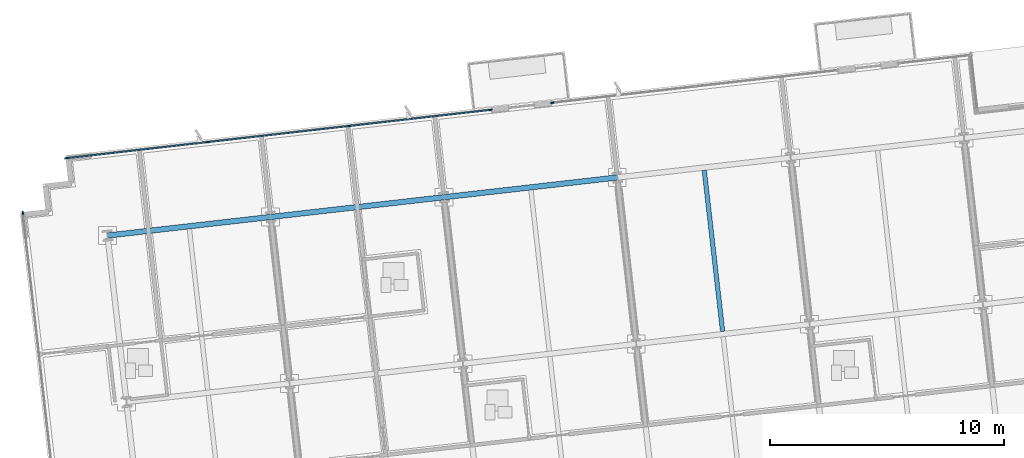
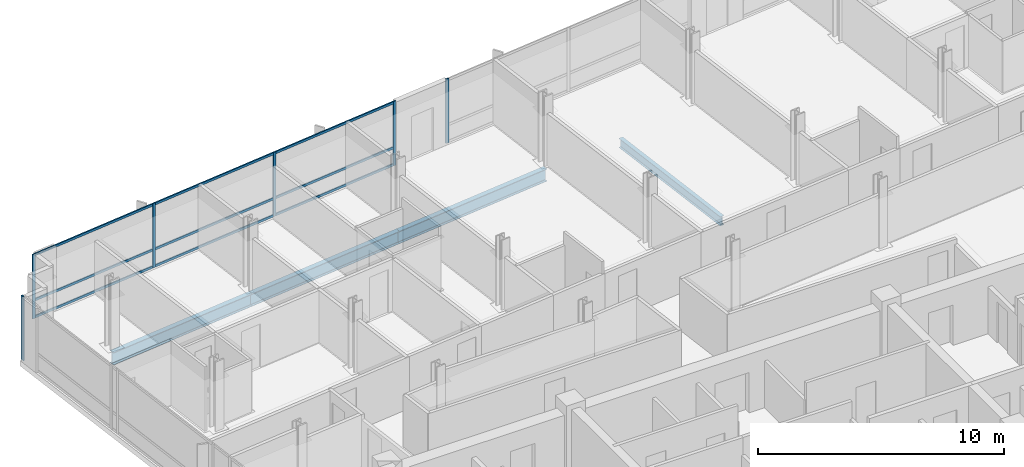
# One storey, part 6 of 16: 15 members, 4 beams, 3 elements without a shape of their own.
"""IFC4 building model written with IfcOpenShell, lengths in metres."""

from ifc_helpers import new_model, si_unit, direction, frame, origin, origin_2d, place, context, subcontext, project, spatial, rectangle, i_section, extrude, material, material_profile, profile_set, type_object, element, aggregate, save


model = new_model("IFC4")

# Units and contexts
model_context = context("Model", 3, precision=1e-05, world=origin(), true_north=direction((0.0, 1.0)))
body_context = subcontext(model_context, "Body", "Model", "MODEL_VIEW")
ifc_project = project(units=[si_unit("LENGTHUNIT", "METRE"), si_unit("AREAUNIT", "SQUARE_METRE"), si_unit("VOLUMEUNIT", "CUBIC_METRE"), si_unit("PLANEANGLEUNIT", "RADIAN"), si_unit("MASSUNIT", "GRAM", prefix="KILO")], contexts=[model_context])

# Site, building, storey
site_placement = place(None, origin())
site = spatial("IfcSite", under=ifc_project, at=site_placement, CompositionType="ELEMENT")
building_placement = place(site_placement, origin())
building = spatial("IfcBuilding", under=site, at=building_placement, Name="Solmavex Isthmus Hotel", CompositionType="ELEMENT")
storey_placement = place(building_placement, frame((0.0, 0.0, 219.300048828125)))
storey = spatial("IfcBuildingStorey", under=building, at=storey_placement, Name="L59", CompositionType="ELEMENT", Elevation=219.300048828125)

# Beams
ifc_material_1 = material(Name="Steel ASTM A992 Grade 50", Category="steel")
ifc_material_profile_1 = material_profile(ifc_material_1, i_section(OverallWidth=0.1904296875, OverallDepth=0.456787109375, WebThickness=0.009033203125, FlangeThickness=0.014404296875, FilletRadius=0.0126953125, at=origin_2d()), Name="W18X50")
ifc_profile_set_1 = profile_set([ifc_material_profile_1], Name="Steel ASTM A992 Grade 50")
beam_type_1 = type_object("IfcBeamType", Name="BM-BJ-W18X50", PredefinedType="JOIST", material=ifc_profile_set_1)
beam_1_placement = place(storey_placement, frame((7.009033203125, 10.1328125, -0.488525390625), z_axis=(-0.113202453846, 0.993571942258, 0.0), x_axis=(-0.993571942258, -0.113202453846, 0.0)))
element("IfcBeam", 1, at=beam_1_placement, inside=storey, type_object=beam_type_1, Name="Secondary Floor Joist L59-J14", PredefinedType="JOIST", context=body_context, shape_type="SweptSolid", body=[
    extrude(i_section(OverallWidth=0.1904296875, OverallDepth=0.456787109375, WebThickness=0.009033203125, FlangeThickness=0.014404296875, FilletRadius=0.0126953125, at=origin_2d()), origin(), (0.0, 0.0, 1.0), 6.9228515625),
])
ifc_material_profile_2 = material_profile(ifc_material_1, i_section(OverallWidth=0.230224609375, OverallDepth=0.617431640625, WebThickness=0.01318359375, FlangeThickness=0.022216796875, FilletRadius=0.01513671875, at=origin_2d()), Name="W24X94")
ifc_profile_set_2 = profile_set([ifc_material_profile_2], Name="Steel ASTM A992 Grade 50")
beam_type_2 = type_object("IfcBeamType", Name="BM-SP-W24X94", PredefinedType="SPANDREL", material=ifc_profile_set_2)
beam_2_placement = place(storey_placement, frame((-19.245849609375, 14.22509765625, -0.56884765625), z_axis=(0.99357359356, 0.113187959519, 0.0), x_axis=(-0.113187959519, 0.99357359356, 0.0)))
element("IfcBeam", 2, at=beam_2_placement, inside=storey, type_object=beam_type_2, Name="Floor Girder L59-UG18", PredefinedType="SPANDREL", context=body_context, shape_type="SweptSolid", body=[
    extrude(i_section(OverallWidth=0.230224609375, OverallDepth=0.617431640625, WebThickness=0.01318359375, FlangeThickness=0.022216796875, FilletRadius=0.01513671875, at=origin_2d()), origin(), (0.0, 0.0, 1.0), 7.0078125),
])
beam_3_placement = place(storey_placement, frame((-12.282958984375, 15.018310546875, -0.56884765625), z_axis=(0.9935703463, 0.113216460607, 0.0), x_axis=(-0.113216460607, 0.9935703463, 0.0)))
element("IfcBeam", 3, at=beam_3_placement, inside=storey, type_object=beam_type_2, Name="Floor Girder L59-UG19", PredefinedType="SPANDREL", context=body_context, shape_type="SweptSolid", body=[
    extrude(i_section(OverallWidth=0.230224609375, OverallDepth=0.617431640625, WebThickness=0.01318359375, FlangeThickness=0.022216796875, FilletRadius=0.01513671875, at=origin_2d()), origin(), (0.0, 0.0, 1.0), 7.446044921875),
])
beam_4_placement = place(storey_placement, frame((-4.884765625, 15.861328125, -0.56884765625), z_axis=(0.993573613989, 0.113187780196, 0.0), x_axis=(-0.113187780196, 0.993573613989, 0.0)))
element("IfcBeam", 4, at=beam_4_placement, inside=storey, type_object=beam_type_2, Name="Floor Girder L59-UG20", PredefinedType="SPANDREL", context=body_context, shape_type="SweptSolid", body=[
    extrude(i_section(OverallWidth=0.230224609375, OverallDepth=0.617431640625, WebThickness=0.01318359375, FlangeThickness=0.022216796875, FilletRadius=0.01513671875, at=origin_2d()), origin(), (0.0, 0.0, 1.0), 7.44580078125),
])

# Curtain wall, members
ifc_material_2 = material(Name="Aluminium alloy 6063-T6", Category="aluminium")
curtain_wall_type = type_object("IfcCurtainWallType", Name="CW-SYS-06", PredefinedType="NOTDEFINED", material=ifc_material_2)
curtain_wall_1_placement = place(storey_placement, origin())
curtain_wall_1 = element("IfcCurtainWall", 5, at=curtain_wall_1_placement, inside=storey, type_object=curtain_wall_type, Name="Stick Curtain Wall CWL-L59-N1", PredefinedType="NOTDEFINED")
ifc_material_profile_3 = material_profile(ifc_material_2, rectangle(XDim=0.06005859375, YDim=0.139892578125, at=origin_2d()), Name="CWM-60X140")
ifc_profile_set_3 = profile_set([ifc_material_profile_3], Name="Aluminium alloy 6063-T6")
member_type_1 = type_object("IfcMemberType", Name="CW-SYS-06-MUL", PredefinedType="MULLION", material=ifc_profile_set_3)
member_1_placement = place(storey_placement, frame((-21.0009765625, 17.527587890625, 0.0), z_axis=(0.0, 0.0, 1.0), x_axis=(-0.113202953513, 0.993571885329, 0.0)))
member_1 = element("IfcMember", 6, at=member_1_placement, type_object=member_type_1, Name="CW-06 mullion 1", PredefinedType="MULLION", context=body_context, shape_type="SweptSolid", body=[
    extrude(rectangle(XDim=0.06005859375, YDim=0.139892578125, at=origin_2d()), origin(), (0.0, 0.0, 1.0), 3.18994140625),
])
member_2_placement = place(storey_placement, frame((-14.977783203125, 18.2138671875, 0.0), z_axis=(0.0, 0.0, 1.0), x_axis=(-0.113202953513, 0.993571885329, 0.0)))
member_2 = element("IfcMember", 7, at=member_2_placement, type_object=member_type_1, Name="CW-06 mullion 2", PredefinedType="MULLION", context=body_context, shape_type="SweptSolid", body=[
    extrude(rectangle(XDim=0.06005859375, YDim=0.139892578125, at=origin_2d()), origin(), (0.0, 0.0, 1.0), 3.18994140625),
])
member_3_placement = place(storey_placement, frame((-8.924560546875, 18.903564453125, 0.0), z_axis=(0.0, 0.0, 1.0), x_axis=(-0.113202953513, 0.993571885329, 0.0)))
member_3 = element("IfcMember", 8, at=member_3_placement, type_object=member_type_1, Name="CW-06 mullion 3", PredefinedType="MULLION", context=body_context, shape_type="SweptSolid", body=[
    extrude(rectangle(XDim=0.06005859375, YDim=0.139892578125, at=origin_2d()), origin(), (0.0, 0.0, 1.0), 3.18994140625),
])
member_4_placement = place(storey_placement, frame((-2.901123046875, 19.58984375, 0.0), z_axis=(0.0, 0.0, 1.0), x_axis=(-0.113202953513, 0.993571885329, 0.0)))
member_4 = element("IfcMember", 9, at=member_4_placement, type_object=member_type_1, Name="CW-06 mullion 4", PredefinedType="MULLION", context=body_context, shape_type="SweptSolid", body=[
    extrude(rectangle(XDim=0.06005859375, YDim=0.139892578125, at=origin_2d()), origin(), (0.0, 0.0, 1.0), 3.18994140625),
])

# Curtain wall, member
curtain_wall_2_placement = place(storey_placement, origin())
curtain_wall_2 = element("IfcCurtainWall", 10, at=curtain_wall_2_placement, inside=storey, type_object=curtain_wall_type, Name="Stick Curtain Wall CWL-L59-N2", PredefinedType="NOTDEFINED")
member_5_placement = place(storey_placement, frame((-0.25830078125, 19.890869140625, 0.0), z_axis=(0.0, 0.0, 1.0), x_axis=(-0.113202856801, 0.993571896348, 0.0)))
member_5 = element("IfcMember", 11, at=member_5_placement, type_object=member_type_1, Name="CW-06 mullion 1", PredefinedType="MULLION", context=body_context, shape_type="SweptSolid", body=[
    extrude(rectangle(XDim=0.06005859375, YDim=0.139892578125, at=origin_2d()), origin(), (0.0, 0.0, 1.0), 3.18994140625),
])
aggregate(curtain_wall_2, [member_5])

curtain_wall_3_placement = place(storey_placement, origin())
curtain_wall_3 = element("IfcCurtainWall", 12, at=curtain_wall_3_placement, inside=storey, type_object=curtain_wall_type, Name="Stick Curtain Wall CWL-L59-W1", PredefinedType="NOTDEFINED")
member_6_placement = place(storey_placement, frame((-22.858642578125, 15.1923828125, 0.0), z_axis=(0.0, 0.0, 1.0), x_axis=(-0.993571836648, -0.11320338078, 0.0)))
member_6 = element("IfcMember", 13, at=member_6_placement, type_object=member_type_1, Name="CW-06 mullion 6", PredefinedType="MULLION", context=body_context, shape_type="SweptSolid", body=[
    extrude(rectangle(XDim=0.06005859375, YDim=0.139892578125, at=origin_2d()), origin(), (0.0, 0.0, 1.0), 3.18994140625),
])
aggregate(curtain_wall_3, [member_6])

# Member
ifc_material_profile_4 = material_profile(ifc_material_2, rectangle(XDim=0.06005859375, YDim=0.114990234375, at=origin_2d()), Name="CWT-60X115")
ifc_profile_set_4 = profile_set([ifc_material_profile_4], Name="Aluminium alloy 6063-T6")
member_type_2 = type_object("IfcMemberType", Name="CW-SYS-06-TRN", PredefinedType="USERDEFINED", material=ifc_profile_set_4)
member_7_placement = place(storey_placement, frame((-20.97119140625, 17.531005859375, 0.057373046875), z_axis=(0.993572336514, 0.11319899343, 0.0), x_axis=(-0.11319899343, 0.993572336514, 0.0)))
member_7 = element("IfcMember", 14, at=member_7_placement, type_object=member_type_2, Name="CW-06 transom 1.1", ObjectType="TRANSOM", PredefinedType="USERDEFINED", context=body_context, shape_type="SweptSolid", body=[
    extrude(rectangle(XDim=0.06005859375, YDim=0.114990234375, at=origin_2d()), origin(), (0.0, 0.0, 1.0), 6.002197265625),
])

member_8_placement = place(storey_placement, frame((-20.97119140625, 17.531005859375, 0.89990234375), z_axis=(0.993572336514, 0.11319899343, 0.0), x_axis=(-0.11319899343, 0.993572336514, 0.0)))
member_8 = element("IfcMember", 15, at=member_8_placement, type_object=member_type_2, Name="CW-06 transom 1.2", ObjectType="TRANSOM", PredefinedType="USERDEFINED", context=body_context, shape_type="SweptSolid", body=[
    extrude(rectangle(XDim=0.06005859375, YDim=0.114990234375, at=origin_2d()), origin(), (0.0, 0.0, 1.0), 6.002197265625),
])

member_9_placement = place(storey_placement, frame((-20.97119140625, 17.531005859375, 3.132568359375), z_axis=(0.993572336514, 0.11319899343, 0.0), x_axis=(-0.11319899343, 0.993572336514, 0.0)))
member_9 = element("IfcMember", 16, at=member_9_placement, type_object=member_type_2, Name="CW-06 transom 1.3", ObjectType="TRANSOM", PredefinedType="USERDEFINED", context=body_context, shape_type="SweptSolid", body=[
    extrude(rectangle(XDim=0.06005859375, YDim=0.114990234375, at=origin_2d()), origin(), (0.0, 0.0, 1.0), 6.002197265625),
])

member_10_placement = place(storey_placement, frame((-14.947998046875, 18.21728515625, 0.057373046875), z_axis=(0.993572398195, 0.113198452047, 0.0), x_axis=(-0.113198452047, 0.993572398195, 0.0)))
member_10 = element("IfcMember", 17, at=member_10_placement, type_object=member_type_2, Name="CW-06 transom 2.1", ObjectType="TRANSOM", PredefinedType="USERDEFINED", context=body_context, shape_type="SweptSolid", body=[
    extrude(rectangle(XDim=0.06005859375, YDim=0.114990234375, at=origin_2d()), origin(), (0.0, 0.0, 1.0), 6.032470703125),
])

member_11_placement = place(storey_placement, frame((-14.947998046875, 18.21728515625, 0.89990234375), z_axis=(0.993572398195, 0.113198452047, 0.0), x_axis=(-0.113198452047, 0.993572398195, 0.0)))
member_11 = element("IfcMember", 18, at=member_11_placement, type_object=member_type_2, Name="CW-06 transom 2.2", ObjectType="TRANSOM", PredefinedType="USERDEFINED", context=body_context, shape_type="SweptSolid", body=[
    extrude(rectangle(XDim=0.06005859375, YDim=0.114990234375, at=origin_2d()), origin(), (0.0, 0.0, 1.0), 6.032470703125),
])

member_12_placement = place(storey_placement, frame((-14.947998046875, 18.21728515625, 3.132568359375), z_axis=(0.993572398195, 0.113198452047, 0.0), x_axis=(-0.113198452047, 0.993572398195, 0.0)))
member_12 = element("IfcMember", 19, at=member_12_placement, type_object=member_type_2, Name="CW-06 transom 2.3", ObjectType="TRANSOM", PredefinedType="USERDEFINED", context=body_context, shape_type="SweptSolid", body=[
    extrude(rectangle(XDim=0.06005859375, YDim=0.114990234375, at=origin_2d()), origin(), (0.0, 0.0, 1.0), 6.032470703125),
])

member_13_placement = place(storey_placement, frame((-8.894775390625, 18.906982421875, 0.057373046875), z_axis=(0.993572857695, 0.113194418821, 0.0), x_axis=(-0.113194418821, 0.993572857695, 0.0)))
member_13 = element("IfcMember", 20, at=member_13_placement, type_object=member_type_2, Name="CW-06 transom 3.1", ObjectType="TRANSOM", PredefinedType="USERDEFINED", context=body_context, shape_type="SweptSolid", body=[
    extrude(rectangle(XDim=0.06005859375, YDim=0.114990234375, at=origin_2d()), origin(), (0.0, 0.0, 1.0), 6.00244140625),
])

member_14_placement = place(storey_placement, frame((-8.894775390625, 18.906982421875, 0.89990234375), z_axis=(0.993572857695, 0.113194418821, 0.0), x_axis=(-0.113194418821, 0.993572857695, 0.0)))
member_14 = element("IfcMember", 21, at=member_14_placement, type_object=member_type_2, Name="CW-06 transom 3.2", ObjectType="TRANSOM", PredefinedType="USERDEFINED", context=body_context, shape_type="SweptSolid", body=[
    extrude(rectangle(XDim=0.06005859375, YDim=0.114990234375, at=origin_2d()), origin(), (0.0, 0.0, 1.0), 6.00244140625),
])

member_15_placement = place(storey_placement, frame((-8.894775390625, 18.906982421875, 3.132568359375), z_axis=(0.993572857695, 0.113194418821, 0.0), x_axis=(-0.113194418821, 0.993572857695, 0.0)))
member_15 = element("IfcMember", 22, at=member_15_placement, type_object=member_type_2, Name="CW-06 transom 3.3", ObjectType="TRANSOM", PredefinedType="USERDEFINED", context=body_context, shape_type="SweptSolid", body=[
    extrude(rectangle(XDim=0.06005859375, YDim=0.114990234375, at=origin_2d()), origin(), (0.0, 0.0, 1.0), 6.00244140625),
])

aggregate(curtain_wall_1, [member_1, member_2, member_3, member_4, member_7, member_8, member_9, member_10, member_11, member_12, member_13, member_14, member_15])

save(model, "model.ifc")
